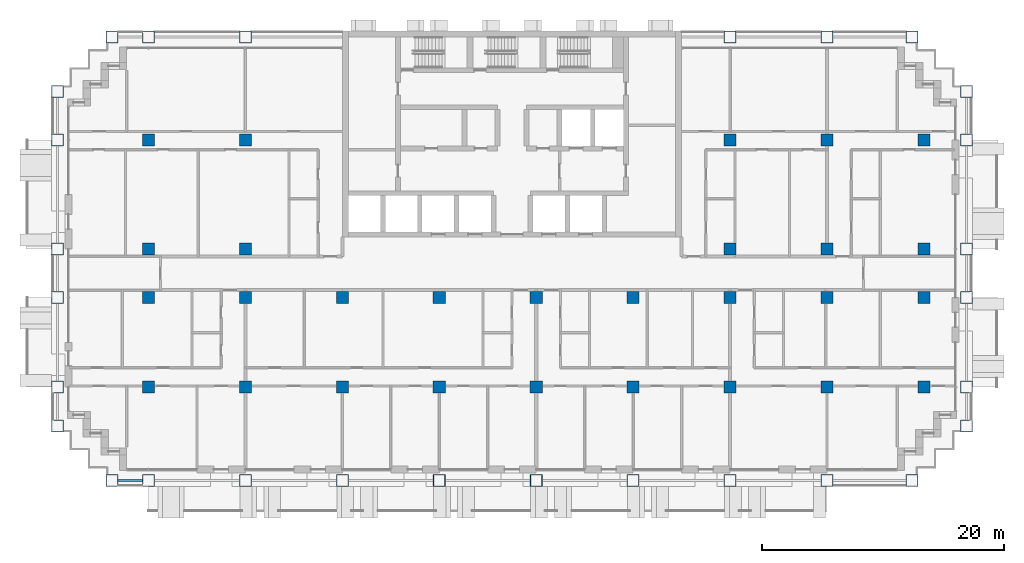
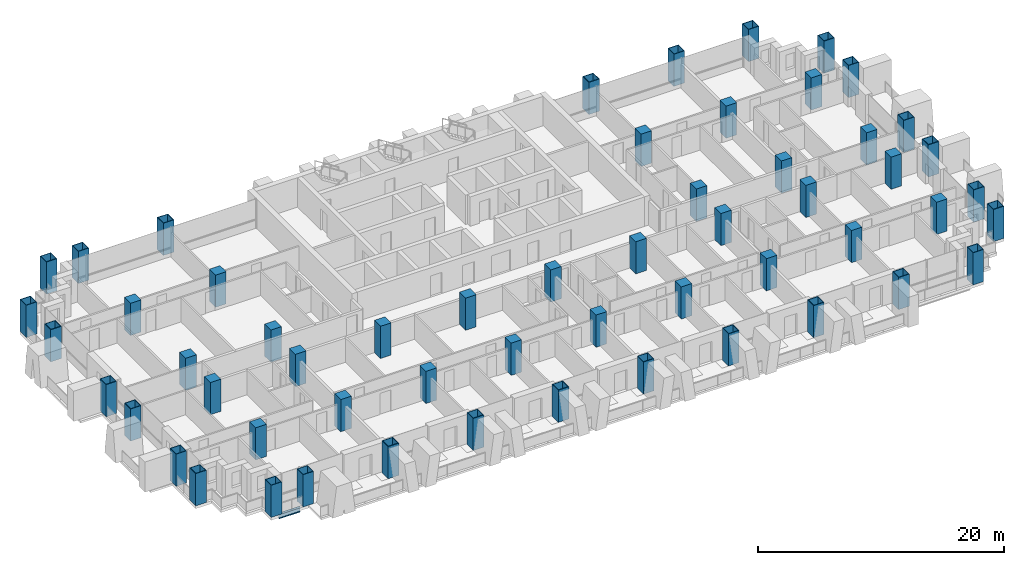
# One storey, part 1 of 18: 56 columns, 1 beam.
"""IFC4 building model written with IfcOpenShell, lengths in metres."""

from ifc_helpers import new_model, si_unit, direction, frame, origin, origin_2d, place, context, subcontext, project, spatial, rectangle, hollow_rectangle, i_section, extrude, material, material_profile, profile_set, type_object, element, save


model = new_model("IFC4")

# Units and contexts
model_context = context("Model", 3, precision=1e-05, world=origin(), true_north=direction((0.0, 1.0)))
body_context = subcontext(model_context, "Body", "Model", "MODEL_VIEW")
ifc_project = project(units=[si_unit("LENGTHUNIT", "METRE"), si_unit("AREAUNIT", "SQUARE_METRE"), si_unit("VOLUMEUNIT", "CUBIC_METRE"), si_unit("PLANEANGLEUNIT", "RADIAN"), si_unit("MASSUNIT", "GRAM", prefix="KILO")], contexts=[model_context])

# Site, building, storey
site_placement = place(None, origin())
site = spatial("IfcSite", under=ifc_project, at=site_placement, CompositionType="ELEMENT")
building_placement = place(site_placement, origin())
building = spatial("IfcBuilding", under=site, at=building_placement, Name="Vidyagriha Tower", CompositionType="ELEMENT")
storey_placement = place(building_placement, frame((0.0, 0.0, 48.0)))
storey = spatial("IfcBuildingStorey", under=building, at=storey_placement, Name="L12", CompositionType="ELEMENT", Elevation=48.0)

# Columns
ifc_material_1 = material(Name="Steel ASTM A572 Grade 50", Category="steel")
ifc_material_profile_1 = material_profile(ifc_material_1, hollow_rectangle(XDim=1.0, YDim=1.0, WallThickness=0.050048828125, at=origin_2d()), Name="BOX 1000x1000x50")
ifc_profile_set_1 = profile_set([ifc_material_profile_1], Name="Steel ASTM A572 Grade 50")
column_type_1 = type_object("IfcColumnType", Name="Exoskeleton column BOX 1000x1000x50", PredefinedType="COLUMN", material=ifc_profile_set_1)
for number, where, name in (
    (1, (-33.0, -17.10009765625, 0.0), "st-col-L12-B1-001"),
    (2, (-30.0, -17.10009765625, 0.0), "st-col-L12-B1-002"),
    (3, (-22.0, -17.10009765625, 0.0), "st-col-L12-B1-003"),
    (4, (-14.0, -17.10009765625, 0.0), "st-col-L12-B1-004"),
    (5, (-6.0, -17.10009765625, 0.0), "st-col-L12-B1-005"),
    (6, (2.0, -17.10009765625, 0.0), "st-col-L12-B1-006"),
    (7, (10.0, -17.10009765625, 0.0), "st-col-L12-B1-007"),
    (8, (18.0, -17.10009765625, 0.0), "st-col-L12-B1-008"),
    (9, (26.0, -17.10009765625, 0.0), "st-col-L12-B1-009"),
    (10, (33.0, -17.10009765625, 0.0), "st-col-L12-B1-010"),
    (11, (-37.5, -12.60009765625, 0.0), "st-col-L12-B1-011"),
    (12, (37.5, -12.60009765625, 0.0), "st-col-L12-B1-012"),
    (13, (-37.5, -9.39990234375, 0.0), "st-col-L12-B1-013"),
    (14, (37.5, -9.39990234375, 0.0), "st-col-L12-B1-023"),
    (15, (-37.5, -2.0, 0.0), "st-col-L12-B1-024"),
    (16, (37.5, -2.0, 0.0), "st-col-L12-B1-034"),
    (17, (-37.5, 2.0, 0.0), "st-col-L12-B1-035"),
    (18, (37.5, 2.0, 0.0), "st-col-L12-B1-041"),
    (19, (-37.5, 11.0, 0.0), "st-col-L12-B1-042"),
    (20, (37.5, 11.0, 0.0), "st-col-L12-B1-048"),
    (21, (-37.5, 15.0, 0.0), "st-col-L12-B1-049"),
    (22, (37.5, 15.0, 0.0), "st-col-L12-B1-050"),
    (23, (-33.0, 19.5, 0.0), "st-col-L12-B1-051"),
    (24, (-30.0, 19.5, 0.0), "st-col-L12-B1-052"),
    (25, (-22.0, 19.5, 0.0), "st-col-L12-B1-053"),
    (26, (18.0, 19.5, 0.0), "st-col-L12-B1-054"),
    (27, (26.0, 19.5, 0.0), "st-col-L12-B1-055"),
    (28, (33.0, 19.5, 0.0), "st-col-L12-B1-056"),
):
    element("IfcColumn", number, at=place(storey_placement, frame(where)), inside=storey, type_object=column_type_1, Name=name, PredefinedType="COLUMN", context=body_context, shape_type="SweptSolid", body=[
        extrude(hollow_rectangle(XDim=1.0, YDim=1.0, WallThickness=0.050048828125, at=origin_2d()), origin(), (0.0, 0.0, 1.0), 3.199951171875),
    ])
ifc_material_2 = material(Name="Concrete C80/95", Category="concrete")
ifc_material_profile_2 = material_profile(ifc_material_2, rectangle(XDim=1.0, YDim=1.0, at=origin_2d()), Name="RC 1000x1000")
ifc_profile_set_2 = profile_set([ifc_material_profile_2], Name="Concrete C80/95")
column_type_2 = type_object("IfcColumnType", Name="Frame column RC 1000x1000", PredefinedType="COLUMN", material=ifc_profile_set_2)
for number, where, name in (
    (29, (-30.0, -9.39990234375, 0.0), "st-col-L12-B1-014"),
    (30, (-22.0, -9.39990234375, 0.0), "st-col-L12-B1-015"),
    (31, (-14.0, -9.39990234375, 0.0), "st-col-L12-B1-016"),
    (32, (-6.0, -9.39990234375, 0.0), "st-col-L12-B1-017"),
    (33, (2.0, -9.39990234375, 0.0), "st-col-L12-B1-018"),
    (34, (10.0, -9.39990234375, 0.0), "st-col-L12-B1-019"),
    (35, (18.0, -9.39990234375, 0.0), "st-col-L12-B1-020"),
    (36, (26.0, -9.39990234375, 0.0), "st-col-L12-B1-021"),
    (37, (34.0, -9.39990234375, 0.0), "st-col-L12-B1-022"),
    (38, (-30.0, -2.0, 0.0), "st-col-L12-B1-025"),
    (39, (-22.0, -2.0, 0.0), "st-col-L12-B1-026"),
    (40, (-14.0, -2.0, 0.0), "st-col-L12-B1-027"),
    (41, (-6.0, -2.0, 0.0), "st-col-L12-B1-028"),
    (42, (2.0, -2.0, 0.0), "st-col-L12-B1-029"),
    (43, (10.0, -2.0, 0.0), "st-col-L12-B1-030"),
    (44, (18.0, -2.0, 0.0), "st-col-L12-B1-031"),
    (45, (26.0, -2.0, 0.0), "st-col-L12-B1-032"),
    (46, (34.0, -2.0, 0.0), "st-col-L12-B1-033"),
    (47, (-30.0, 2.0, 0.0), "st-col-L12-B1-036"),
    (48, (-22.0, 2.0, 0.0), "st-col-L12-B1-037"),
    (49, (18.0, 2.0, 0.0), "st-col-L12-B1-038"),
    (50, (26.0, 2.0, 0.0), "st-col-L12-B1-039"),
    (51, (34.0, 2.0, 0.0), "st-col-L12-B1-040"),
    (52, (-30.0, 11.0, 0.0), "st-col-L12-B1-043"),
    (53, (-22.0, 11.0, 0.0), "st-col-L12-B1-044"),
    (54, (18.0, 11.0, 0.0), "st-col-L12-B1-045"),
    (55, (26.0, 11.0, 0.0), "st-col-L12-B1-046"),
    (56, (34.0, 11.0, 0.0), "st-col-L12-B1-047"),
):
    element("IfcColumn", number, at=place(storey_placement, frame(where)), inside=storey, type_object=column_type_2, Name=name, PredefinedType="COLUMN", context=body_context, shape_type="SweptSolid", body=[
        extrude(rectangle(XDim=1.0, YDim=1.0, at=origin_2d()), origin(), (0.0, 0.0, 1.0), 3.199951171875),
    ])

# Beam
ifc_material_3 = material(Name="Steel ASTM A992 Grade 50", Category="steel")
ifc_material_profile_3 = material_profile(ifc_material_3, i_section(OverallWidth=0.19189453125, OverallDepth=0.46240234375, WebThickness=0.010498046875, FlangeThickness=0.017578125, at=origin_2d()), Name="W18X60")
ifc_profile_set_3 = profile_set([ifc_material_profile_3], Name="Steel ASTM A992 Grade 50")
beam_type = type_object("IfcBeamType", Name="Edge beam W18X60", PredefinedType="SPANDREL", material=ifc_profile_set_3)
beam_placement = place(storey_placement, frame((-32.5, -17.10009765625, -0.51123046875), z_axis=(1.0, 0.0, 0.0), x_axis=(0.0, 1.0, 0.0)))
element("IfcBeam", 57, at=beam_placement, inside=storey, type_object=beam_type, Name="st-beam-L12-S01", PredefinedType="SPANDREL", context=body_context, shape_type="SweptSolid", body=[
    extrude(i_section(OverallWidth=0.19189453125, OverallDepth=0.46240234375, WebThickness=0.010498046875, FlangeThickness=0.017578125, at=origin_2d()), origin(), (0.0, 0.0, 1.0), 2.0),
])

save(model, "model.ifc")
